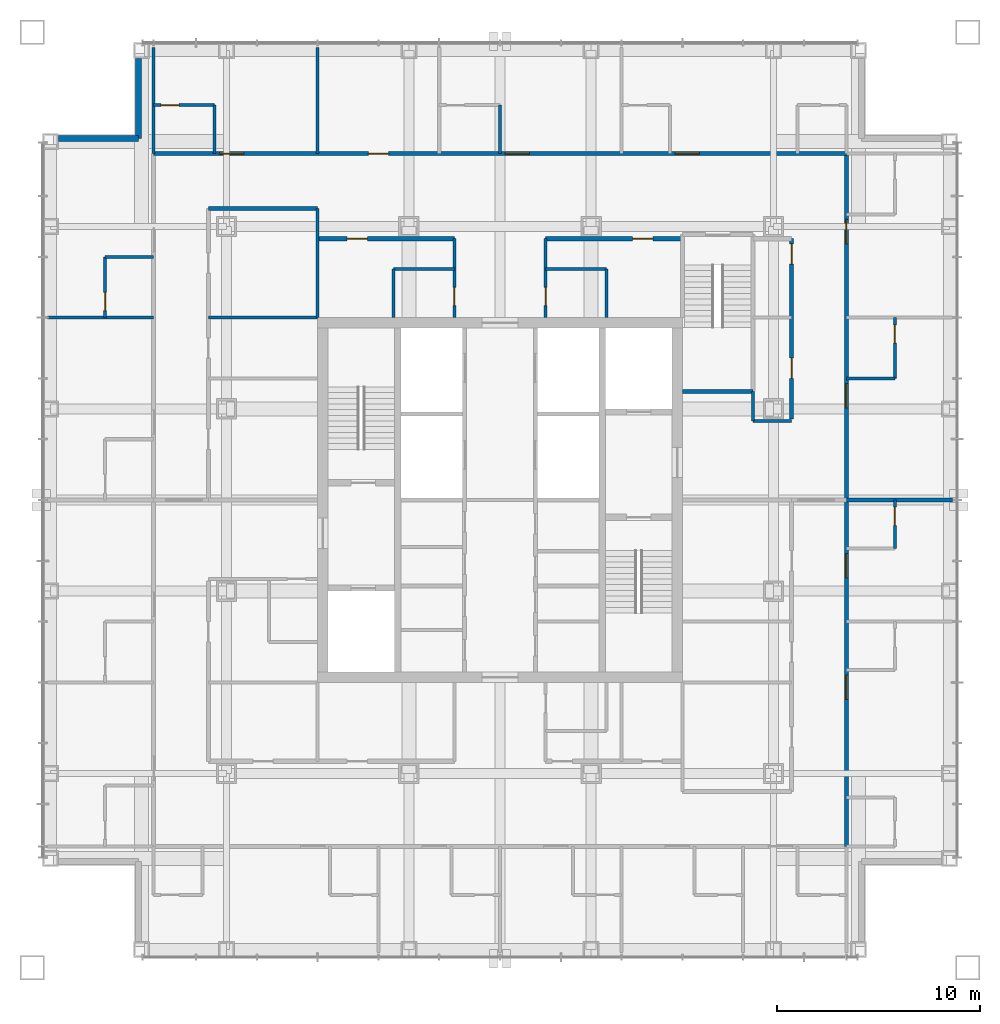
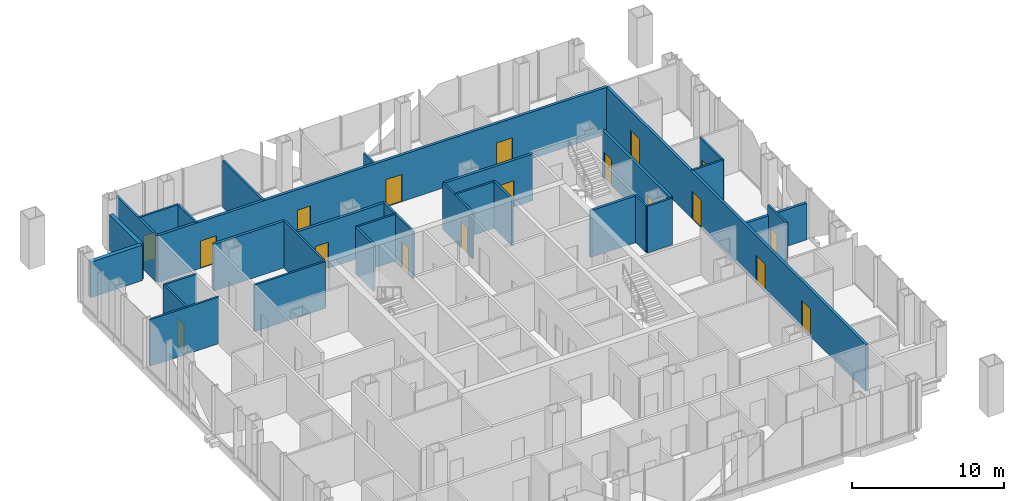
# One storey, part 15 of 17: 31 walls, 18 doors, 18 openings.
"""IFC4 building model written with IfcOpenShell, lengths in metres."""

from ifc_helpers import new_model, si_unit, direction, frame, frame_2d, origin, place, context, subcontext, project, spatial, rectangle, extrude, material, layer, layer_set, type_object, element, fill, save


model = new_model("IFC4")

# Units and contexts
model_context = context("Model", 3, precision=1e-05, world=origin(), true_north=direction((0.0, 1.0)))
body_context = subcontext(model_context, "Body", "Model", "MODEL_VIEW")
ifc_project = project(units=[si_unit("LENGTHUNIT", "METRE"), si_unit("AREAUNIT", "SQUARE_METRE"), si_unit("VOLUMEUNIT", "CUBIC_METRE"), si_unit("PLANEANGLEUNIT", "RADIAN"), si_unit("MASSUNIT", "GRAM", prefix="KILO")], contexts=[model_context])

# Site, building, storey
site_placement = place(None, origin())
site = spatial("IfcSite", under=ifc_project, at=site_placement, CompositionType="ELEMENT")
building_placement = place(site_placement, origin())
building = spatial("IfcBuilding", under=site, at=building_placement, Name="Malebo Sky Hospital", CompositionType="ELEMENT")
storey_placement = place(building_placement, frame((0.0, 0.0, 193.0)))
storey = spatial("IfcBuildingStorey", under=building, at=storey_placement, Name="L46", CompositionType="ELEMENT", Elevation=193.0)

# Wall, openings, doors
ifc_material_1 = material(Name="Gypsum board on steel studs", Category="steel")
ifc_layer_1 = layer(ifc_material_1, 0.199951171875)
ifc_layer_set_1 = layer_set([ifc_layer_1], Name="CORRIDOR WALL 200")
wall_type_1 = type_object("IfcWallType", Name="CORRIDOR WALL 200", PredefinedType="PARTITIONING", material=ifc_layer_set_1)
wall_1_placement = place(storey_placement, frame((42.89990234375, 79.10009765625, 0.0), z_axis=(0.0, 0.0, 1.0), x_axis=(1.0, 0.0, 0.0)))
wall_1 = element("IfcWall", 1, at=wall_1_placement, inside=storey, type_object=wall_type_1, Name="Corridor Wall 200 NCO", PredefinedType="PARTITIONING", context=body_context, shape_type="SweptSolid", body=[
    extrude(rectangle(XDim=34.2001953125, YDim=0.199951171875, at=frame_2d((17.10009765625, 0.0))), origin(), (0.0, 0.0, 1.0), 3.75),
])
opening_1_placement = place(wall_1_placement, frame((3.25, 0.0, 0.0)))
opening_1 = element("IfcOpeningElement", 2, at=opening_1_placement, cuts=wall_1, Name="Opening D01", PredefinedType="OPENING", context=body_context, shape_type="SweptSolid", body=[
    extrude(rectangle(XDim=1.199951171875, YDim=2.199951171875, at=frame_2d((0.60009765625, 1.10009765625))), frame((0.0, 0.10986328125, 0.0), z_axis=(0.0, -1.0, 0.0), x_axis=(1.0, 0.0, 0.0)), (0.0, 0.0, 1.0), 0.219970703125),
])
opening_2_placement = place(wall_1_placement, frame((10.60009765625, 0.0, 0.0)))
opening_2 = element("IfcOpeningElement", 3, at=opening_2_placement, cuts=wall_1, Name="Opening D03", PredefinedType="OPENING", context=body_context, shape_type="SweptSolid", body=[
    extrude(rectangle(XDim=1.0, YDim=2.10009765625, at=frame_2d((0.5, 1.050048828125))), frame((0.0, 0.10986328125, 0.0), z_axis=(0.0, -1.0, 0.0), x_axis=(1.0, 0.0, 0.0)), (0.0, 0.0, 1.0), 0.219970703125),
])
opening_3_placement = place(wall_1_placement, frame((17.35009765625, 0.0, 0.0)))
opening_3 = element("IfcOpeningElement", 4, at=opening_3_placement, cuts=wall_1, Name="Opening D01", PredefinedType="OPENING", context=body_context, shape_type="SweptSolid", body=[
    extrude(rectangle(XDim=1.199951171875, YDim=2.199951171875, at=frame_2d((0.60009765625, 1.10009765625))), frame((0.0, 0.10986328125, 0.0), z_axis=(0.0, -1.0, 0.0), x_axis=(1.0, 0.0, 0.0)), (0.0, 0.0, 1.0), 0.219970703125),
])
opening_4_placement = place(wall_1_placement, frame((25.75, 0.0, 0.0)))
opening_4 = element("IfcOpeningElement", 5, at=opening_4_placement, cuts=wall_1, Name="Opening D01", PredefinedType="OPENING", context=body_context, shape_type="SweptSolid", body=[
    extrude(rectangle(XDim=1.199951171875, YDim=2.199951171875, at=frame_2d((0.60009765625, 1.10009765625))), frame((0.0, 0.10986328125, 0.0), z_axis=(0.0, -1.0, 0.0), x_axis=(1.0, 0.0, 0.0)), (0.0, 0.0, 1.0), 0.219970703125),
])
ifc_material_2 = material(Name="Hardwood-faced door leaf in steel frame", Category="steel")
door_type_1 = type_object("IfcDoorType", Name="BED DOOR 1200", OperationType="SINGLE_SWING_LEFT", PredefinedType="DOOR", material=ifc_material_2)
door_1_placement = place(opening_1_placement, origin())
door_1 = element("IfcDoor", 6, at=door_1_placement, inside=storey, type_object=door_type_1, Name="Two-bed room door", OperationType="SINGLE_SWING_LEFT", OverallHeight=2.199951171875, OverallWidth=1.199951171875, PredefinedType="DOOR", context=body_context, shape_type="SweptSolid", body=[
    extrude(rectangle(XDim=1.199951171875, YDim=2.199951171875, at=frame_2d((0.60009765625, 1.10009765625))), frame((0.0, 0.02490234375, 0.0), z_axis=(0.0, -1.0, 0.0), x_axis=(1.0, 0.0, 0.0)), (0.0, 0.0, 1.0), 0.050048828125),
])
fill(opening_1, door_1)
door_2_placement = place(opening_3_placement, origin())
door_2 = element("IfcDoor", 7, at=door_2_placement, inside=storey, type_object=door_type_1, Name="Two-bed room door", OperationType="SINGLE_SWING_LEFT", OverallHeight=2.199951171875, OverallWidth=1.199951171875, PredefinedType="DOOR", context=body_context, shape_type="SweptSolid", body=[
    extrude(rectangle(XDim=1.199951171875, YDim=2.199951171875, at=frame_2d((0.60009765625, 1.10009765625))), frame((0.0, 0.02490234375, 0.0), z_axis=(0.0, -1.0, 0.0), x_axis=(1.0, 0.0, 0.0)), (0.0, 0.0, 1.0), 0.050048828125),
])
fill(opening_3, door_2)
door_3_placement = place(opening_4_placement, origin())
door_3 = element("IfcDoor", 8, at=door_3_placement, inside=storey, type_object=door_type_1, Name="Four-bed bay door", OperationType="SINGLE_SWING_LEFT", OverallHeight=2.199951171875, OverallWidth=1.199951171875, PredefinedType="DOOR", context=body_context, shape_type="SweptSolid", body=[
    extrude(rectangle(XDim=1.199951171875, YDim=2.199951171875, at=frame_2d((0.60009765625, 1.10009765625))), frame((0.0, 0.02490234375, 0.0), z_axis=(0.0, -1.0, 0.0), x_axis=(1.0, 0.0, 0.0)), (0.0, 0.0, 1.0), 0.050048828125),
])
fill(opening_4, door_3)
door_type_2 = type_object("IfcDoorType", Name="ROOM DOOR 1000", OperationType="SINGLE_SWING_LEFT", PredefinedType="DOOR", material=ifc_material_2)
door_4_placement = place(opening_2_placement, origin())
door_4 = element("IfcDoor", 9, at=door_4_placement, inside=storey, type_object=door_type_2, Name="Infant feeding room door", OperationType="SINGLE_SWING_LEFT", OverallHeight=2.10009765625, OverallWidth=1.0, PredefinedType="DOOR", context=body_context, shape_type="SweptSolid", body=[
    extrude(rectangle(XDim=1.0, YDim=2.10009765625, at=frame_2d((0.5, 1.050048828125))), frame((0.0, 0.02490234375, 0.0), z_axis=(0.0, -1.0, 0.0), x_axis=(1.0, 0.0, 0.0)), (0.0, 0.0, 1.0), 0.050048828125),
])
fill(opening_2, door_4)

# Wall
wall_2_placement = place(storey_placement, frame((45.60009765625, 76.39990234375, 0.0), z_axis=(0.0, 0.0, 1.0), x_axis=(1.0, 0.0, 0.0)))
element("IfcWall", 10, at=wall_2_placement, inside=storey, type_object=wall_type_1, Name="Corridor Wall 200 NCIK", PredefinedType="PARTITIONING", context=body_context, shape_type="SweptSolid", body=[
    extrude(rectangle(XDim=5.39990234375, YDim=0.199951171875, at=frame_2d((2.699951171875, 0.0))), origin(), (0.0, 0.0, 1.0), 3.75),
])

# Wall, opening, door
wall_3_placement = place(storey_placement, frame((51.0, 74.89990234375, 0.0), z_axis=(0.0, 0.0, 1.0), x_axis=(1.0, 0.0, 0.0)))
wall_3 = element("IfcWall", 11, at=wall_3_placement, inside=storey, type_object=wall_type_1, Name="Corridor Wall 200 NCI1", PredefinedType="PARTITIONING", context=body_context, shape_type="SweptSolid", body=[
    extrude(rectangle(XDim=6.75, YDim=0.199951171875, at=frame_2d((3.375, 0.0))), origin(), (0.0, 0.0, 1.0), 3.75),
])
opening_5_placement = place(wall_3_placement, frame((1.449951171875, 0.0, 0.0)))
opening_5 = element("IfcOpeningElement", 12, at=opening_5_placement, cuts=wall_3, Name="Opening D03", PredefinedType="OPENING", context=body_context, shape_type="SweptSolid", body=[
    extrude(rectangle(XDim=1.0, YDim=2.10009765625, at=frame_2d((0.5, 1.050048828125))), frame((0.0, 0.10986328125, 0.0), z_axis=(0.0, -1.0, 0.0), x_axis=(1.0, 0.0, 0.0)), (0.0, 0.0, 1.0), 0.219970703125),
])
door_5_placement = place(opening_5_placement, origin())
door_5 = element("IfcDoor", 13, at=door_5_placement, inside=storey, type_object=door_type_2, Name="Postnatal examination room door", OperationType="SINGLE_SWING_LEFT", OverallHeight=2.10009765625, OverallWidth=1.0, PredefinedType="DOOR", context=body_context, shape_type="SweptSolid", body=[
    extrude(rectangle(XDim=1.0, YDim=2.10009765625, at=frame_2d((0.5, 1.050048828125))), frame((0.0, 0.02490234375, 0.0), z_axis=(0.0, -1.0, 0.0), x_axis=(1.0, 0.0, 0.0)), (0.0, 0.0, 1.0), 0.050048828125),
])
fill(opening_5, door_5)

wall_4_placement = place(storey_placement, frame((62.25, 74.89990234375, 0.0), z_axis=(0.0, 0.0, 1.0), x_axis=(1.0, 0.0, 0.0)))
wall_4 = element("IfcWall", 14, at=wall_4_placement, inside=storey, type_object=wall_type_1, Name="Corridor Wall 200 NCI2", PredefinedType="PARTITIONING", context=body_context, shape_type="SweptSolid", body=[
    extrude(rectangle(XDim=6.75, YDim=0.199951171875, at=frame_2d((3.375, 0.0))), origin(), (0.0, 0.0, 1.0), 3.75),
])
opening_6_placement = place(wall_4_placement, frame((4.300048828125, 0.0, 0.0)))
opening_6 = element("IfcOpeningElement", 15, at=opening_6_placement, cuts=wall_4, Name="Opening D03", PredefinedType="OPENING", context=body_context, shape_type="SweptSolid", body=[
    extrude(rectangle(XDim=1.0, YDim=2.10009765625, at=frame_2d((0.5, 1.050048828125))), frame((0.0, 0.10986328125, 0.0), z_axis=(0.0, -1.0, 0.0), x_axis=(1.0, 0.0, 0.0)), (0.0, 0.0, 1.0), 0.219970703125),
])
door_6_placement = place(opening_6_placement, origin())
door_6 = element("IfcDoor", 16, at=door_6_placement, inside=storey, type_object=door_type_2, Name="Milk kitchen door", OperationType="SINGLE_SWING_RIGHT", OverallHeight=2.10009765625, OverallWidth=1.0, PredefinedType="DOOR", context=body_context, shape_type="SweptSolid", body=[
    extrude(rectangle(XDim=1.0, YDim=2.10009765625, at=frame_2d((0.5, 1.050048828125))), frame((0.0, 0.02490234375, 0.0), z_axis=(0.0, -1.0, 0.0), x_axis=(1.0, 0.0, 0.0)), (0.0, 0.0, 1.0), 0.050048828125),
])
fill(opening_6, door_6)

# Wall, openings, doors
wall_5_placement = place(storey_placement, frame((77.10009765625, 79.10009765625, 0.0), z_axis=(0.0, 0.0, 1.0), x_axis=(0.0, -1.0, 0.0)))
wall_5 = element("IfcWall", 17, at=wall_5_placement, inside=storey, type_object=wall_type_1, Name="Corridor Wall 200 ECO", PredefinedType="PARTITIONING", context=body_context, shape_type="SweptSolid", body=[
    extrude(rectangle(XDim=34.2001953125, YDim=0.199951171875, at=frame_2d((17.10009765625, 0.0))), origin(), (0.0, 0.0, 1.0), 3.75),
])
opening_7_placement = place(wall_5_placement, frame((3.25, 0.0, 0.0)))
opening_7 = element("IfcOpeningElement", 18, at=opening_7_placement, cuts=wall_5, Name="Opening D01", PredefinedType="OPENING", context=body_context, shape_type="SweptSolid", body=[
    extrude(rectangle(XDim=1.199951171875, YDim=2.199951171875, at=frame_2d((0.60009765625, 1.10009765625))), frame((0.0, 0.10986328125, 0.0), z_axis=(0.0, -1.0, 0.0), x_axis=(1.0, 0.0, 0.0)), (0.0, 0.0, 1.0), 0.219970703125),
])
opening_8_placement = place(wall_5_placement, frame((11.35009765625, 0.0, 0.0)))
opening_8 = element("IfcOpeningElement", 19, at=opening_8_placement, cuts=wall_5, Name="Opening D01", PredefinedType="OPENING", context=body_context, shape_type="SweptSolid", body=[
    extrude(rectangle(XDim=1.199951171875, YDim=2.199951171875, at=frame_2d((0.60009765625, 1.10009765625))), frame((0.0, 0.10986328125, 0.0), z_axis=(0.0, -1.0, 0.0), x_axis=(1.0, 0.0, 0.0)), (0.0, 0.0, 1.0), 0.219970703125),
])
opening_9_placement = place(wall_5_placement, frame((19.75, 0.0, 0.0)))
opening_9 = element("IfcOpeningElement", 20, at=opening_9_placement, cuts=wall_5, Name="Opening D01", PredefinedType="OPENING", context=body_context, shape_type="SweptSolid", body=[
    extrude(rectangle(XDim=1.199951171875, YDim=2.199951171875, at=frame_2d((0.60009765625, 1.10009765625))), frame((0.0, 0.10986328125, 0.0), z_axis=(0.0, -1.0, 0.0), x_axis=(1.0, 0.0, 0.0)), (0.0, 0.0, 1.0), 0.219970703125),
])
opening_10_placement = place(wall_5_placement, frame((25.75, 0.0, 0.0)))
opening_10 = element("IfcOpeningElement", 21, at=opening_10_placement, cuts=wall_5, Name="Opening D01", PredefinedType="OPENING", context=body_context, shape_type="SweptSolid", body=[
    extrude(rectangle(XDim=1.199951171875, YDim=2.199951171875, at=frame_2d((0.60009765625, 1.10009765625))), frame((0.0, 0.10986328125, 0.0), z_axis=(0.0, -1.0, 0.0), x_axis=(1.0, 0.0, 0.0)), (0.0, 0.0, 1.0), 0.219970703125),
])
door_7_placement = place(opening_7_placement, origin())
door_7 = element("IfcDoor", 22, at=door_7_placement, inside=storey, type_object=door_type_1, Name="Two-bed room door", OperationType="SINGLE_SWING_LEFT", OverallHeight=2.199951171875, OverallWidth=1.199951171875, PredefinedType="DOOR", context=body_context, shape_type="SweptSolid", body=[
    extrude(rectangle(XDim=1.199951171875, YDim=2.199951171875, at=frame_2d((0.60009765625, 1.10009765625))), frame((0.0, 0.02490234375, 0.0), z_axis=(0.0, -1.0, 0.0), x_axis=(1.0, 0.0, 0.0)), (0.0, 0.0, 1.0), 0.050048828125),
])
fill(opening_7, door_7)
door_8_placement = place(opening_8_placement, origin())
door_8 = element("IfcDoor", 23, at=door_8_placement, inside=storey, type_object=door_type_1, Name="Two-bed room door", OperationType="SINGLE_SWING_LEFT", OverallHeight=2.199951171875, OverallWidth=1.199951171875, PredefinedType="DOOR", context=body_context, shape_type="SweptSolid", body=[
    extrude(rectangle(XDim=1.199951171875, YDim=2.199951171875, at=frame_2d((0.60009765625, 1.10009765625))), frame((0.0, 0.02490234375, 0.0), z_axis=(0.0, -1.0, 0.0), x_axis=(1.0, 0.0, 0.0)), (0.0, 0.0, 1.0), 0.050048828125),
])
fill(opening_8, door_8)
door_9_placement = place(opening_9_placement, origin())
door_9 = element("IfcDoor", 24, at=door_9_placement, inside=storey, type_object=door_type_1, Name="Single bed room door", OperationType="SINGLE_SWING_LEFT", OverallHeight=2.199951171875, OverallWidth=1.199951171875, PredefinedType="DOOR", context=body_context, shape_type="SweptSolid", body=[
    extrude(rectangle(XDim=1.199951171875, YDim=2.199951171875, at=frame_2d((0.60009765625, 1.10009765625))), frame((0.0, 0.02490234375, 0.0), z_axis=(0.0, -1.0, 0.0), x_axis=(1.0, 0.0, 0.0)), (0.0, 0.0, 1.0), 0.050048828125),
])
fill(opening_9, door_9)
door_10_placement = place(opening_10_placement, origin())
door_10 = element("IfcDoor", 25, at=door_10_placement, inside=storey, type_object=door_type_1, Name="Four-bed bay door", OperationType="SINGLE_SWING_LEFT", OverallHeight=2.199951171875, OverallWidth=1.199951171875, PredefinedType="DOOR", context=body_context, shape_type="SweptSolid", body=[
    extrude(rectangle(XDim=1.199951171875, YDim=2.199951171875, at=frame_2d((0.60009765625, 1.10009765625))), frame((0.0, 0.02490234375, 0.0), z_axis=(0.0, -1.0, 0.0), x_axis=(1.0, 0.0, 0.0)), (0.0, 0.0, 1.0), 0.050048828125),
])
fill(opening_10, door_10)

wall_6_placement = place(storey_placement, frame((74.39990234375, 74.89990234375, 0.0), z_axis=(0.0, 0.0, 1.0), x_axis=(0.0, -1.0, 0.0)))
wall_6 = element("IfcWall", 26, at=wall_6_placement, inside=storey, type_object=wall_type_1, Name="Corridor Wall 200 ECI1", PredefinedType="PARTITIONING", context=body_context, shape_type="SweptSolid", body=[
    extrude(rectangle(XDim=8.89990234375, YDim=0.199951171875, at=frame_2d((4.449951171875, 0.0))), origin(), (0.0, 0.0, 1.0), 3.75),
])
opening_11_placement = place(wall_6_placement, frame((0.25, 0.0, 0.0)))
opening_11 = element("IfcOpeningElement", 27, at=opening_11_placement, cuts=wall_6, Name="Opening D03", PredefinedType="OPENING", context=body_context, shape_type="SweptSolid", body=[
    extrude(rectangle(XDim=1.0, YDim=2.10009765625, at=frame_2d((0.5, 1.050048828125))), frame((0.0, 0.10986328125, 0.0), z_axis=(0.0, -1.0, 0.0), x_axis=(1.0, 0.0, 0.0)), (0.0, 0.0, 1.0), 0.219970703125),
])
opening_12_placement = place(wall_6_placement, frame((5.89990234375, 0.0, 0.0)))
opening_12 = element("IfcOpeningElement", 28, at=opening_12_placement, cuts=wall_6, Name="Opening D03", PredefinedType="OPENING", context=body_context, shape_type="SweptSolid", body=[
    extrude(rectangle(XDim=1.0, YDim=2.10009765625, at=frame_2d((0.5, 1.050048828125))), frame((0.0, 0.10986328125, 0.0), z_axis=(0.0, -1.0, 0.0), x_axis=(1.0, 0.0, 0.0)), (0.0, 0.0, 1.0), 0.219970703125),
])
door_11_placement = place(opening_11_placement, origin())
door_11 = element("IfcDoor", 29, at=door_11_placement, inside=storey, type_object=door_type_2, Name="Consulting room door", OperationType="SINGLE_SWING_LEFT", OverallHeight=2.10009765625, OverallWidth=1.0, PredefinedType="DOOR", context=body_context, shape_type="SweptSolid", body=[
    extrude(rectangle(XDim=1.0, YDim=2.10009765625, at=frame_2d((0.5, 1.050048828125))), frame((0.0, 0.02490234375, 0.0), z_axis=(0.0, -1.0, 0.0), x_axis=(1.0, 0.0, 0.0)), (0.0, 0.0, 1.0), 0.050048828125),
])
fill(opening_11, door_11)
door_12_placement = place(opening_12_placement, origin())
door_12 = element("IfcDoor", 30, at=door_12_placement, inside=storey, type_object=door_type_2, Name="Clean utility room door", OperationType="SINGLE_SWING_LEFT", OverallHeight=2.10009765625, OverallWidth=1.0, PredefinedType="DOOR", context=body_context, shape_type="SweptSolid", body=[
    extrude(rectangle(XDim=1.0, YDim=2.10009765625, at=frame_2d((0.5, 1.050048828125))), frame((0.0, 0.02490234375, 0.0), z_axis=(0.0, -1.0, 0.0), x_axis=(1.0, 0.0, 0.0)), (0.0, 0.0, 1.0), 0.050048828125),
])
fill(opening_12, door_12)

# Walls
ifc_material_3 = material(Name="Anodised aluminium rainscreen on steel framing", Category="steel")
ifc_layer_2 = layer(ifc_material_3, 0.300048828125)
ifc_layer_set_2 = layer_set([ifc_layer_2], Name="NOTCH RAINSCREEN WALL 300")
wall_type_2 = type_object("IfcWallType", Name="NOTCH RAINSCREEN WALL 300", PredefinedType="ELEMENTEDWALL", material=ifc_layer_set_2)
for number, where, z_axis, x_axis, name in (
    (31, (38.199951171875, 79.85009765625, 0.0), (0.0, 0.0, 1.0), (1.0, 0.0, 0.0), "Notch rainscreen wall W1 L46"),
    (32, (42.14990234375, 79.85009765625, 0.0), (0.0, 0.0, 1.0), (0.0, 1.0, 0.0), "Notch rainscreen wall W2 L46"),
):
    element("IfcWall", number, at=place(storey_placement, frame(where, z_axis=z_axis, x_axis=x_axis)), inside=storey, type_object=wall_type_2, Name=name, PredefinedType="ELEMENTEDWALL", context=body_context, shape_type="SweptSolid", body=[
        extrude(rectangle(XDim=3.949951171875, YDim=0.300048828125, at=frame_2d((1.97509765625, 0.0))), origin(), (0.0, 0.0, 1.0), 2.85009765625),
    ])
ifc_layer_3 = layer(ifc_material_1, 0.14990234375)
ifc_layer_set_3 = layer_set([ifc_layer_3], Name="PARTITION 150")
wall_type_3 = type_object("IfcWallType", Name="PARTITION 150", PredefinedType="PARTITIONING", material=ifc_layer_set_3)
for number, where, z_axis, x_axis, name in (
    (33, (51.0, 79.10009765625, 0.0), (0.0, 0.0, 1.0), (0.0, 1.0, 0.0), "Partition 150 NP-9.0"),
    (34, (42.89990234375, 79.10009765625, 0.0), (0.0, 0.0, 1.0), (0.0, 1.0, 0.0), "Partition 150 NP0"),
):
    element("IfcWall", number, at=place(storey_placement, frame(where, z_axis=z_axis, x_axis=x_axis)), inside=storey, type_object=wall_type_3, Name=name, PredefinedType="PARTITIONING", context=body_context, shape_type="SweptSolid", body=[
        extrude(rectangle(XDim=5.25, YDim=0.14990234375, at=frame_2d((2.625, 0.0))), origin(), (0.0, 0.0, 1.0), 3.75),
    ])

# Wall, opening, door
wall_7_placement = place(storey_placement, frame((42.89990234375, 81.5, 0.0), z_axis=(0.0, 0.0, 1.0), x_axis=(1.0, 0.0, 0.0)))
wall_7 = element("IfcWall", 35, at=wall_7_placement, inside=storey, type_object=wall_type_3, Name="Partition 150 NE0F", PredefinedType="PARTITIONING", context=body_context, shape_type="SweptSolid", body=[
    extrude(rectangle(XDim=3.0, YDim=0.14990234375, at=frame_2d((1.5, 0.0))), origin(), (0.0, 0.0, 1.0), 3.75),
])
opening_13_placement = place(wall_7_placement, frame((0.35009765625, 0.0, 0.0)))
opening_13 = element("IfcOpeningElement", 36, at=opening_13_placement, cuts=wall_7, Name="Opening D02", PredefinedType="OPENING", context=body_context, shape_type="SweptSolid", body=[
    extrude(rectangle(XDim=0.89990234375, YDim=2.10009765625, at=frame_2d((0.449951171875, 1.050048828125))), frame((0.0, 0.0849609375, 0.0), z_axis=(0.0, -1.0, 0.0), x_axis=(1.0, 0.0, 0.0)), (0.0, 0.0, 1.0), 0.169921875),
])
door_type_3 = type_object("IfcDoorType", Name="EN-SUITE DOOR 900", OperationType="SINGLE_SWING_LEFT", PredefinedType="DOOR", material=ifc_material_2)
door_13_placement = place(opening_13_placement, origin())
door_13 = element("IfcDoor", 37, at=door_13_placement, inside=storey, type_object=door_type_3, Name="En-suite door", OperationType="SINGLE_SWING_LEFT", OverallHeight=2.10009765625, OverallWidth=0.89990234375, PredefinedType="DOOR", context=body_context, shape_type="SweptSolid", body=[
    extrude(rectangle(XDim=0.89990234375, YDim=2.10009765625, at=frame_2d((0.449951171875, 1.050048828125))), frame((0.0, 0.02490234375, 0.0), z_axis=(0.0, -1.0, 0.0), x_axis=(1.0, 0.0, 0.0)), (0.0, 0.0, 1.0), 0.050048828125),
])
fill(opening_13, door_13)

# Walls
wall_8_placement = place(storey_placement, frame((45.89990234375, 79.10009765625, 0.0), z_axis=(0.0, 0.0, 1.0), x_axis=(0.0, 1.0, 0.0)))
element("IfcWall", 38, at=wall_8_placement, inside=storey, type_object=wall_type_3, Name="Partition 150 NE0S", PredefinedType="PARTITIONING", context=body_context, shape_type="SweptSolid", body=[
    extrude(rectangle(XDim=2.39990234375, YDim=0.14990234375, at=frame_2d((1.199951171875, 0.0))), origin(), (0.0, 0.0, 1.0), 3.75),
])
wall_9_placement = place(storey_placement, frame((60.0, 79.10009765625, 0.0), z_axis=(0.0, 0.0, 1.0), x_axis=(0.0, 1.0, 0.0)))
element("IfcWall", 39, at=wall_9_placement, inside=storey, type_object=wall_type_3, Name="Partition 150 NE2S", PredefinedType="PARTITIONING", context=body_context, shape_type="SweptSolid", body=[
    extrude(rectangle(XDim=2.39990234375, YDim=0.14990234375, at=frame_2d((1.199951171875, 0.0))), origin(), (0.0, 0.0, 1.0), 2.949951171875),
])
wall_10_placement = place(storey_placement, frame((51.0, 71.0, 0.0), z_axis=(0.0, 0.0, 1.0), x_axis=(0.0, 1.0, 0.0)))
element("IfcWall", 40, at=wall_10_placement, inside=storey, type_object=wall_type_3, Name="Partition 150 NSP0", PredefinedType="PARTITIONING", context=body_context, shape_type="SweptSolid", body=[
    extrude(rectangle(XDim=5.39990234375, YDim=0.14990234375, at=frame_2d((2.699951171875, 0.0))), origin(), (0.0, 0.0, 1.0), 3.75),
])

# Wall, opening, door
wall_11_placement = place(storey_placement, frame((57.75, 71.0, 0.0), z_axis=(0.0, 0.0, 1.0), x_axis=(0.0, 1.0, 0.0)))
wall_11 = element("IfcWall", 41, at=wall_11_placement, inside=storey, type_object=wall_type_3, Name="Partition 150 NSPA", PredefinedType="PARTITIONING", context=body_context, shape_type="SweptSolid", body=[
    extrude(rectangle(XDim=3.89990234375, YDim=0.14990234375, at=frame_2d((1.949951171875, 0.0))), origin(), (0.0, 0.0, 1.0), 3.75),
])
opening_14_placement = place(wall_11_placement, frame((0.60009765625, 0.0, 0.0)))
opening_14 = element("IfcOpeningElement", 42, at=opening_14_placement, cuts=wall_11, Name="Opening D04", PredefinedType="OPENING", context=body_context, shape_type="SweptSolid", body=[
    extrude(rectangle(XDim=0.89990234375, YDim=2.10009765625, at=frame_2d((0.449951171875, 1.050048828125))), frame((0.0, 0.0849609375, 0.0), z_axis=(0.0, -1.0, 0.0), x_axis=(1.0, 0.0, 0.0)), (0.0, 0.0, 1.0), 0.169921875),
])
door_type_4 = type_object("IfcDoorType", Name="ROOM DOOR 900", OperationType="SINGLE_SWING_LEFT", PredefinedType="DOOR", material=ifc_material_2)
door_14_placement = place(opening_14_placement, origin())
door_14 = element("IfcDoor", 43, at=door_14_placement, inside=storey, type_object=door_type_4, Name="Staff WC door", OperationType="SINGLE_SWING_LEFT", OverallHeight=2.10009765625, OverallWidth=0.89990234375, PredefinedType="DOOR", context=body_context, shape_type="SweptSolid", body=[
    extrude(rectangle(XDim=0.89990234375, YDim=2.10009765625, at=frame_2d((0.449951171875, 1.050048828125))), frame((0.0, 0.02490234375, 0.0), z_axis=(0.0, -1.0, 0.0), x_axis=(1.0, 0.0, 0.0)), (0.0, 0.0, 1.0), 0.050048828125),
])
fill(opening_14, door_14)

wall_12_placement = place(storey_placement, frame((62.25, 71.0, 0.0), z_axis=(0.0, 0.0, 1.0), x_axis=(0.0, 1.0, 0.0)))
wall_12 = element("IfcWall", 44, at=wall_12_placement, inside=storey, type_object=wall_type_3, Name="Partition 150 NSPB", PredefinedType="PARTITIONING", context=body_context, shape_type="SweptSolid", body=[
    extrude(rectangle(XDim=3.89990234375, YDim=0.14990234375, at=frame_2d((1.949951171875, 0.0))), origin(), (0.0, 0.0, 1.0), 3.75),
])
opening_15_placement = place(wall_12_placement, frame((0.60009765625, 0.0, 0.0)))
opening_15 = element("IfcOpeningElement", 45, at=opening_15_placement, cuts=wall_12, Name="Opening D04", PredefinedType="OPENING", context=body_context, shape_type="SweptSolid", body=[
    extrude(rectangle(XDim=0.89990234375, YDim=2.10009765625, at=frame_2d((0.449951171875, 1.050048828125))), frame((0.0, 0.0849609375, 0.0), z_axis=(0.0, -1.0, 0.0), x_axis=(1.0, 0.0, 0.0)), (0.0, 0.0, 1.0), 0.169921875),
])
door_15_placement = place(opening_15_placement, origin())
door_15 = element("IfcDoor", 46, at=door_15_placement, inside=storey, type_object=door_type_4, Name="Accessible WC door", OperationType="SINGLE_SWING_LEFT", OverallHeight=2.10009765625, OverallWidth=0.89990234375, PredefinedType="DOOR", context=body_context, shape_type="SweptSolid", body=[
    extrude(rectangle(XDim=0.89990234375, YDim=2.10009765625, at=frame_2d((0.449951171875, 1.050048828125))), frame((0.0, 0.02490234375, 0.0), z_axis=(0.0, -1.0, 0.0), x_axis=(1.0, 0.0, 0.0)), (0.0, 0.0, 1.0), 0.050048828125),
])
fill(opening_15, door_15)

# Walls
wall_13_placement = place(storey_placement, frame((54.75, 73.39990234375, 0.0), z_axis=(0.0, 0.0, 1.0), x_axis=(1.0, 0.0, 0.0)))
element("IfcWall", 47, at=wall_13_placement, inside=storey, type_object=wall_type_3, Name="Partition 150 NSX0", PredefinedType="PARTITIONING", context=body_context, shape_type="SweptSolid", body=[
    extrude(rectangle(XDim=3.0, YDim=0.14990234375, at=frame_2d((1.5, 0.0))), origin(), (0.0, 0.0, 1.0), 3.75),
])
wall_14_placement = place(storey_placement, frame((54.75, 71.0, 0.0), z_axis=(0.0, 0.0, 1.0), x_axis=(0.0, 1.0, 0.0)))
element("IfcWall", 48, at=wall_14_placement, inside=storey, type_object=wall_type_3, Name="Partition 150 NSY0", PredefinedType="PARTITIONING", context=body_context, shape_type="SweptSolid", body=[
    extrude(rectangle(XDim=2.39990234375, YDim=0.14990234375, at=frame_2d((1.199951171875, 0.0))), origin(), (0.0, 0.0, 1.0), 3.75),
])
wall_15_placement = place(storey_placement, frame((62.25, 73.39990234375, 0.0), z_axis=(0.0, 0.0, 1.0), x_axis=(1.0, 0.0, 0.0)))
element("IfcWall", 49, at=wall_15_placement, inside=storey, type_object=wall_type_3, Name="Partition 150 NSX1", PredefinedType="PARTITIONING", context=body_context, shape_type="SweptSolid", body=[
    extrude(rectangle(XDim=3.0, YDim=0.14990234375, at=frame_2d((1.5, 0.0))), origin(), (0.0, 0.0, 1.0), 3.75),
])
wall_16_placement = place(storey_placement, frame((65.25, 71.0, 0.0), z_axis=(0.0, 0.0, 1.0), x_axis=(0.0, 1.0, 0.0)))
element("IfcWall", 50, at=wall_16_placement, inside=storey, type_object=wall_type_3, Name="Partition 150 NSY1", PredefinedType="PARTITIONING", context=body_context, shape_type="SweptSolid", body=[
    extrude(rectangle(XDim=2.39990234375, YDim=0.14990234375, at=frame_2d((1.199951171875, 0.0))), origin(), (0.0, 0.0, 1.0), 3.75),
])
wall_17_placement = place(storey_placement, frame((42.89990234375, 71.0, 0.0), z_axis=(0.0, 0.0, 1.0), x_axis=(-1.0, 0.0, 0.0)))
element("IfcWall", 51, at=wall_17_placement, inside=storey, type_object=wall_type_3, Name="Partition 150 WP+9.0", PredefinedType="PARTITIONING", context=body_context, shape_type="SweptSolid", body=[
    extrude(rectangle(XDim=5.25, YDim=0.14990234375, at=frame_2d((2.625, 0.0))), origin(), (0.0, 0.0, 1.0), 3.75),
])

# Wall, opening, door
wall_18_placement = place(storey_placement, frame((40.5, 71.0, 0.0), z_axis=(0.0, 0.0, 1.0), x_axis=(0.0, 1.0, 0.0)))
wall_18 = element("IfcWall", 52, at=wall_18_placement, inside=storey, type_object=wall_type_3, Name="Partition 150 WE3F", PredefinedType="PARTITIONING", context=body_context, shape_type="SweptSolid", body=[
    extrude(rectangle(XDim=3.0, YDim=0.14990234375, at=frame_2d((1.5, 0.0))), origin(), (0.0, 0.0, 1.0), 3.75),
])
opening_16_placement = place(wall_18_placement, frame((0.35009765625, 0.0, 0.0)))
opening_16 = element("IfcOpeningElement", 53, at=opening_16_placement, cuts=wall_18, Name="Opening D02", PredefinedType="OPENING", context=body_context, shape_type="SweptSolid", body=[
    extrude(rectangle(XDim=0.89990234375, YDim=2.10009765625, at=frame_2d((0.449951171875, 1.050048828125))), frame((0.0, 0.0849609375, 0.0), z_axis=(0.0, -1.0, 0.0), x_axis=(1.0, 0.0, 0.0)), (0.0, 0.0, 1.0), 0.169921875),
])
door_16_placement = place(opening_16_placement, origin())
door_16 = element("IfcDoor", 54, at=door_16_placement, inside=storey, type_object=door_type_3, Name="En-suite door", OperationType="SINGLE_SWING_LEFT", OverallHeight=2.10009765625, OverallWidth=0.89990234375, PredefinedType="DOOR", context=body_context, shape_type="SweptSolid", body=[
    extrude(rectangle(XDim=0.89990234375, YDim=2.10009765625, at=frame_2d((0.449951171875, 1.050048828125))), frame((0.0, 0.02490234375, 0.0), z_axis=(0.0, -1.0, 0.0), x_axis=(1.0, 0.0, 0.0)), (0.0, 0.0, 1.0), 0.050048828125),
])
fill(opening_16, door_16)

# Walls
wall_19_placement = place(storey_placement, frame((42.89990234375, 74.0, 0.0), z_axis=(0.0, 0.0, 1.0), x_axis=(-1.0, 0.0, 0.0)))
element("IfcWall", 55, at=wall_19_placement, inside=storey, type_object=wall_type_3, Name="Partition 150 WE3S", PredefinedType="PARTITIONING", context=body_context, shape_type="SweptSolid", body=[
    extrude(rectangle(XDim=2.39990234375, YDim=0.14990234375, at=frame_2d((1.199951171875, 0.0))), origin(), (0.0, 0.0, 1.0), 3.75),
])
wall_20_placement = place(storey_placement, frame((51.0, 71.0, 0.0), z_axis=(0.0, 0.0, 1.0), x_axis=(-1.0, 0.0, 0.0)))
element("IfcWall", 56, at=wall_20_placement, inside=storey, type_object=wall_type_3, Name="Partition 150 WSP+9.0", PredefinedType="PARTITIONING", context=body_context, shape_type="SweptSolid", body=[
    extrude(rectangle(XDim=5.39990234375, YDim=0.14990234375, at=frame_2d((2.699951171875, 0.0))), origin(), (0.0, 0.0, 1.0), 3.75),
])

# Wall, opening, door
wall_21_placement = place(storey_placement, frame((79.5, 71.0, 0.0), z_axis=(0.0, 0.0, 1.0), x_axis=(0.0, -1.0, 0.0)))
wall_21 = element("IfcWall", 57, at=wall_21_placement, inside=storey, type_object=wall_type_3, Name="Partition 150 EE1F", PredefinedType="PARTITIONING", context=body_context, shape_type="SweptSolid", body=[
    extrude(rectangle(XDim=3.0, YDim=0.14990234375, at=frame_2d((1.5, 0.0))), origin(), (0.0, 0.0, 1.0), 3.75),
])
opening_17_placement = place(wall_21_placement, frame((0.35009765625, 0.0, 0.0)))
opening_17 = element("IfcOpeningElement", 58, at=opening_17_placement, cuts=wall_21, Name="Opening D02", PredefinedType="OPENING", context=body_context, shape_type="SweptSolid", body=[
    extrude(rectangle(XDim=0.89990234375, YDim=2.10009765625, at=frame_2d((0.449951171875, 1.050048828125))), frame((0.0, 0.0849609375, 0.0), z_axis=(0.0, -1.0, 0.0), x_axis=(1.0, 0.0, 0.0)), (0.0, 0.0, 1.0), 0.169921875),
])
door_17_placement = place(opening_17_placement, origin())
door_17 = element("IfcDoor", 59, at=door_17_placement, inside=storey, type_object=door_type_3, Name="En-suite door", OperationType="SINGLE_SWING_LEFT", OverallHeight=2.10009765625, OverallWidth=0.89990234375, PredefinedType="DOOR", context=body_context, shape_type="SweptSolid", body=[
    extrude(rectangle(XDim=0.89990234375, YDim=2.10009765625, at=frame_2d((0.449951171875, 1.050048828125))), frame((0.0, 0.02490234375, 0.0), z_axis=(0.0, -1.0, 0.0), x_axis=(1.0, 0.0, 0.0)), (0.0, 0.0, 1.0), 0.050048828125),
])
fill(opening_17, door_17)

# Wall
wall_22_placement = place(storey_placement, frame((77.10009765625, 68.0, 0.0), z_axis=(0.0, 0.0, 1.0), x_axis=(1.0, 0.0, 0.0)))
element("IfcWall", 60, at=wall_22_placement, inside=storey, type_object=wall_type_3, Name="Partition 150 EE1S", PredefinedType="PARTITIONING", context=body_context, shape_type="SweptSolid", body=[
    extrude(rectangle(XDim=2.39990234375, YDim=0.14990234375, at=frame_2d((1.199951171875, 0.0))), origin(), (0.0, 0.0, 1.0), 3.75),
])

# Wall, opening, door
wall_23_placement = place(storey_placement, frame((79.5, 62.0, 0.0), z_axis=(0.0, 0.0, 1.0), x_axis=(0.0, -1.0, 0.0)))
wall_23 = element("IfcWall", 61, at=wall_23_placement, inside=storey, type_object=wall_type_3, Name="Partition 150 EE2F", PredefinedType="PARTITIONING", context=body_context, shape_type="SweptSolid", body=[
    extrude(rectangle(XDim=2.39990234375, YDim=0.14990234375, at=frame_2d((1.199951171875, 0.0))), origin(), (0.0, 0.0, 1.0), 3.75),
])
opening_18_placement = place(wall_23_placement, frame((0.35009765625, 0.0, 0.0)))
opening_18 = element("IfcOpeningElement", 62, at=opening_18_placement, cuts=wall_23, Name="Opening D02", PredefinedType="OPENING", context=body_context, shape_type="SweptSolid", body=[
    extrude(rectangle(XDim=0.89990234375, YDim=2.10009765625, at=frame_2d((0.449951171875, 1.050048828125))), frame((0.0, 0.0849609375, 0.0), z_axis=(0.0, -1.0, 0.0), x_axis=(1.0, 0.0, 0.0)), (0.0, 0.0, 1.0), 0.169921875),
])
door_18_placement = place(opening_18_placement, origin())
door_18 = element("IfcDoor", 63, at=door_18_placement, inside=storey, type_object=door_type_3, Name="En-suite door", OperationType="SINGLE_SWING_LEFT", OverallHeight=2.10009765625, OverallWidth=0.89990234375, PredefinedType="DOOR", context=body_context, shape_type="SweptSolid", body=[
    extrude(rectangle(XDim=0.89990234375, YDim=2.10009765625, at=frame_2d((0.449951171875, 1.050048828125))), frame((0.0, 0.02490234375, 0.0), z_axis=(0.0, -1.0, 0.0), x_axis=(1.0, 0.0, 0.0)), (0.0, 0.0, 1.0), 0.050048828125),
])
fill(opening_18, door_18)

# Walls
wall_24_placement = place(storey_placement, frame((72.5, 65.89990234375, 0.0), z_axis=(0.0, 0.0, 1.0), x_axis=(1.0, 0.0, 0.0)))
element("IfcWall", 64, at=wall_24_placement, inside=storey, type_object=wall_type_3, Name="Partition 150 ESPA", PredefinedType="PARTITIONING", context=body_context, shape_type="SweptSolid", body=[
    extrude(rectangle(XDim=1.89990234375, YDim=0.14990234375, at=frame_2d((0.949951171875, 0.0))), origin(), (0.0, 0.0, 1.0), 3.75),
])
wall_25_placement = place(storey_placement, frame((72.5, 65.89990234375, 0.0), z_axis=(0.0, 0.0, 1.0), x_axis=(0.0, 1.0, 0.0)))
element("IfcWall", 65, at=wall_25_placement, inside=storey, type_object=wall_type_3, Name="Partition 150 ST3C", PredefinedType="PARTITIONING", context=body_context, shape_type="SweptSolid", body=[
    extrude(rectangle(XDim=1.4501953125, YDim=0.14990234375, at=frame_2d((0.72509765625, 0.0))), origin(), (0.0, 0.0, 1.0), 3.75),
])
ifc_material_4 = material(Name="Concrete blockwork", Category="masonry")
ifc_layer_4 = layer(ifc_material_4, 0.199951171875)
ifc_layer_set_4 = layer_set([ifc_layer_4], Name="SMOKE BARRIER WALL 200")
wall_type_4 = type_object("IfcWallType", Name="SMOKE BARRIER WALL 200", PredefinedType="SOLIDWALL", material=ifc_layer_set_4)
wall_26_placement = place(storey_placement, frame((77.10009765625, 62.0, 0.0), z_axis=(0.0, 0.0, 1.0), x_axis=(1.0, 0.0, 0.0)))
element("IfcWall", 66, at=wall_26_placement, inside=storey, type_object=wall_type_4, Name="Smoke Barrier Wall 200 EP+0.0", PredefinedType="SOLIDWALL", context=body_context, shape_type="SweptSolid", body=[
    extrude(rectangle(XDim=5.25, YDim=0.199951171875, at=frame_2d((2.625, 0.0))), origin(), (0.0, 0.0, 1.0), 2.949951171875),
])
ifc_material_5 = material(Name="Concrete C40/50", Category="concrete")
ifc_layer_5 = layer(ifc_material_5, 0.199951171875)
ifc_layer_set_5 = layer_set([ifc_layer_5], Name="STAIR ENCLOSURE WALL 200")
wall_type_5 = type_object("IfcWallType", Name="STAIR ENCLOSURE WALL 200", PredefinedType="SOLIDWALL", material=ifc_layer_set_5)
wall_27_placement = place(storey_placement, frame((69.0, 67.35009765625, 0.0), z_axis=(0.0, 0.0, 1.0), x_axis=(1.0, 0.0, 0.0)))
element("IfcWall", 67, at=wall_27_placement, inside=storey, type_object=wall_type_5, Name="Stair Enclosure Wall 200 ST3S", PredefinedType="SOLIDWALL", context=body_context, shape_type="SweptSolid", body=[
    extrude(rectangle(XDim=3.5, YDim=0.199951171875, at=frame_2d((1.75, 0.0))), origin(), (0.0, 0.0, 1.0), 3.75),
])

save(model, "model.ifc")
